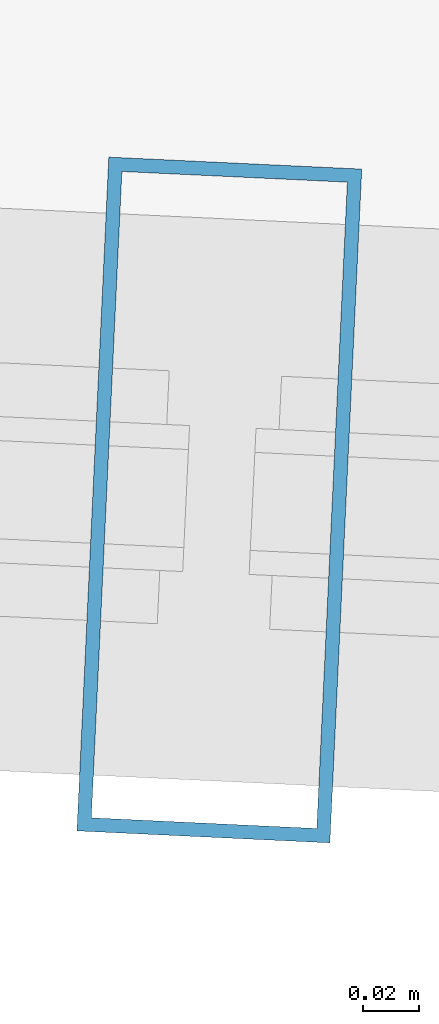
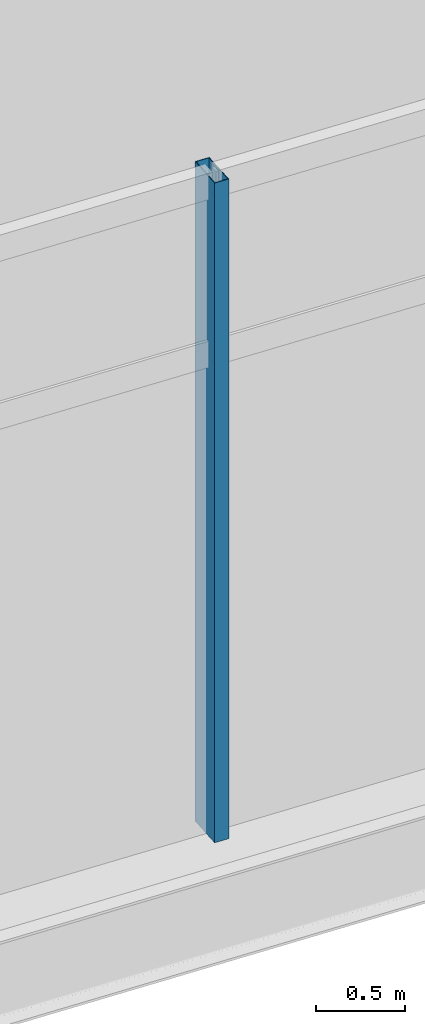
# One storey, part 24 of 103: 1 member, 1 element without a shape of its own.
"""IFC4 building model written with IfcOpenShell, lengths in metres."""

from ifc_helpers import new_model, si_unit, direction, frame, origin, origin_2d, place, context, subcontext, project, spatial, hollow_rectangle, extrude, material, layer, layer_set, material_profile, profile_set, type_object, element, aggregate, save


model = new_model("IFC4")

# Units and contexts
model_context = context("Model", 3, precision=1e-05, world=origin(), true_north=direction((0.0, 1.0)))
body_context = subcontext(model_context, "Body", "Model", "MODEL_VIEW")
ifc_project = project(units=[si_unit("LENGTHUNIT", "METRE"), si_unit("AREAUNIT", "SQUARE_METRE"), si_unit("VOLUMEUNIT", "CUBIC_METRE"), si_unit("PLANEANGLEUNIT", "RADIAN"), si_unit("MASSUNIT", "GRAM", prefix="KILO")], contexts=[model_context])

# Site, building, storey
site_placement = place(None, origin())
site = spatial("IfcSite", under=ifc_project, at=site_placement, CompositionType="ELEMENT")
building_placement = place(site_placement, origin())
building = spatial("IfcBuilding", under=site, at=building_placement, Name="Kazemori Nagisa Stadium", CompositionType="ELEMENT")
storey_placement = place(building_placement, frame((0.0, 0.0, 25.840087890625)))
storey = spatial("IfcBuildingStorey", under=building, at=storey_placement, Name="L05", CompositionType="ELEMENT", Elevation=25.840087890625)

# Curtain wall, member
ifc_material_1 = material(Name="Anodised aluminium 6063-T5", Category="aluminium")
ifc_layer = layer(ifc_material_1, 0.239990234375, Name="Anodised aluminium 6063-T5", Category="aluminium")
ifc_layer_set = layer_set([ifc_layer], Name="Anodised aluminium 6063-T5")
curtain_wall_type = type_object("IfcCurtainWallType", Name="CW_L05R3_105", PredefinedType="USERDEFINED", material=ifc_layer_set)
curtain_wall_placement = place(storey_placement, origin())
curtain_wall = element("IfcCurtainWall", 1, at=curtain_wall_placement, inside=storey, type_object=curtain_wall_type, Name="Unitised curtain wall CW-L05R3-105 L05", ObjectType="UNITISED CURTAIN WALL", PredefinedType="USERDEFINED")
ifc_material_2 = material(Name="Aluminium 6063-T5 anodised", Category="aluminium")
ifc_material_profile = material_profile(ifc_material_2, hollow_rectangle(XDim=0.090087890625, YDim=0.239990234375, WallThickness=0.0048828125, at=origin_2d()), Name="ALU-MULL-90x240x5")
ifc_profile_set = profile_set([ifc_material_profile], Name="Aluminium 6063-T5 anodised")
member_type = type_object("IfcMemberType", Name="Mullion_M03", PredefinedType="MULLION", material=ifc_profile_set)
member_placement = place(storey_placement, frame((108.7998046875, 16.67138671875, 0.0), z_axis=(0.0, 0.0, 1.0), x_axis=(0.998884022476, -0.047230388971, 0.0)))
member = element("IfcMember", 2, at=member_placement, type_object=member_type, Name="Curtain wall mullion CW-L05R3-105-M2", PredefinedType="MULLION", context=body_context, shape_type="SweptSolid", body=[
    extrude(hollow_rectangle(XDim=0.090087890625, YDim=0.239990234375, WallThickness=0.0048828125, at=origin_2d()), origin(), (0.0, 0.0, 1.0), 4.530029296875),
])
aggregate(curtain_wall, [member])

save(model, "model.ifc")
